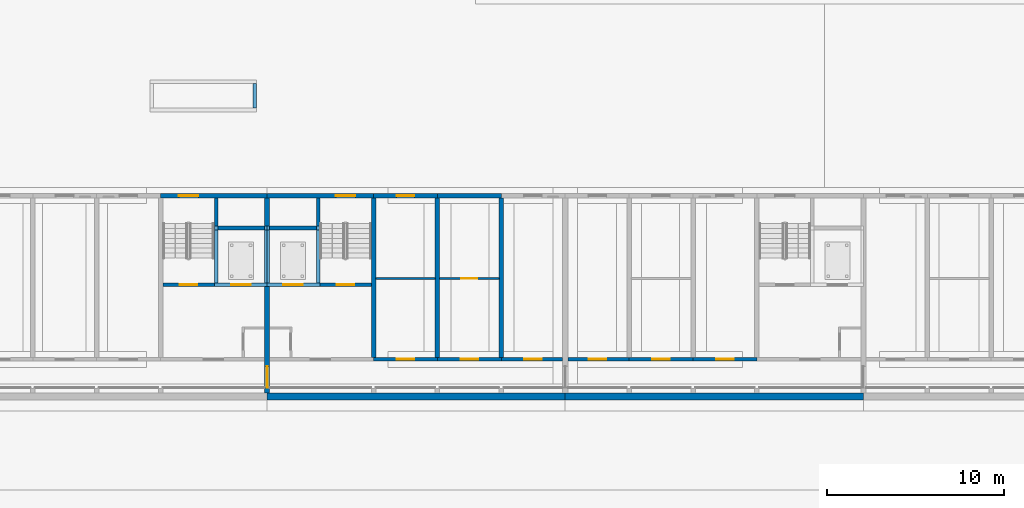
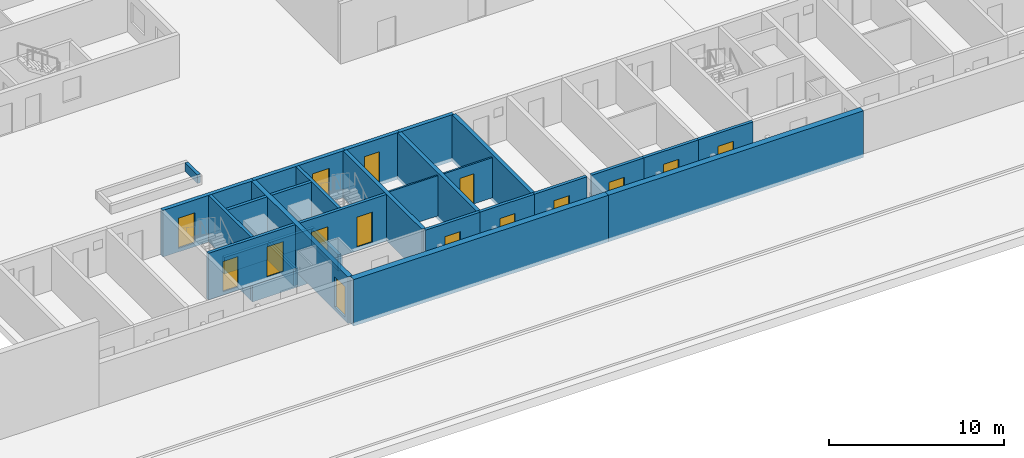
# One storey, part 55 of 112: 33 walls, 15 doors, 15 openings.
"""IFC4 building model written with IfcOpenShell, lengths in metres."""

from ifc_helpers import new_model, si_unit, direction, frame, frame_2d, origin, place, context, subcontext, project, spatial, rectangle, extrude, material, layer, layer_set, type_object, element, fill, save


model = new_model("IFC4")

# Units and contexts
model_context = context("Model", 3, precision=1e-05, world=origin(), true_north=direction((0.0, 1.0)))
body_context = subcontext(model_context, "Body", "Model", "MODEL_VIEW")
ifc_project = project(units=[si_unit("LENGTHUNIT", "METRE"), si_unit("AREAUNIT", "SQUARE_METRE"), si_unit("VOLUMEUNIT", "CUBIC_METRE"), si_unit("PLANEANGLEUNIT", "RADIAN"), si_unit("MASSUNIT", "GRAM", prefix="KILO")], contexts=[model_context])

# Site, building, storey
site_placement = place(None, origin())
site = spatial("IfcSite", under=ifc_project, at=site_placement, CompositionType="ELEMENT")
building_placement = place(site_placement, origin())
building = spatial("IfcBuilding", under=site, at=building_placement, Name="Ridgestep Commons", CompositionType="ELEMENT")
storey_placement = place(building_placement, origin())
storey = spatial("IfcBuildingStorey", under=building, at=storey_placement, Name="L00", CompositionType="ELEMENT", Elevation=0.0)

# Walls
ifc_material_1 = material(Name="Concrete C30/37", Category="concrete")
ifc_layer_1 = layer(ifc_material_1, 0.199951171875)
ifc_layer_set_1 = layer_set([ifc_layer_1], Name="Community planter wall 200")
wall_type_1 = type_object("IfcWallType", Name="Community planter wall 200", PredefinedType="SOLIDWALL", material=ifc_layer_set_1)
wall_1_placement = place(storey_placement, frame((162.89990234375, 27.800048828125, 0.0), z_axis=(0.0, 0.0, 1.0), x_axis=(0.0, 1.0, 0.0)))
element("IfcWall", 1, at=wall_1_placement, inside=storey, type_object=wall_type_1, Name="Planter wall", PredefinedType="SOLIDWALL", context=body_context, shape_type="SweptSolid", body=[
    extrude(rectangle(XDim=1.39990234375, YDim=0.199951171875, at=frame_2d((0.699951171875, 0.0))), origin(), (0.0, 0.0, 1.0), 0.60009765625),
])
ifc_material_2 = material(Name="Concrete C30/37", Category="concrete")
ifc_layer_2 = layer(ifc_material_2, 0.25)
ifc_layer_set_2 = layer_set([ifc_layer_2], Name="Core cross wall 250")
wall_type_2 = type_object("IfcWallType", Name="Core cross wall 250", PredefinedType="SHEAR", material=ifc_layer_set_2)
wall_2_placement = place(storey_placement, frame((169.60009765625, 13.75, -0.25), z_axis=(0.0, 0.0, 1.0), x_axis=(0.0, 1.0, 0.0)))
element("IfcWall", 2, at=wall_2_placement, inside=storey, type_object=wall_type_2, Name="Cross wall D-00-1696", PredefinedType="SHEAR", context=body_context, shape_type="SweptSolid", body=[
    extrude(rectangle(XDim=9.0, YDim=0.25, at=frame_2d((4.5, 0.0))), origin(), (0.0, 0.0, 1.0), 3.25),
])
ifc_material_3 = material(Name="Concrete C30/37", Category="concrete")
ifc_layer_3 = layer(ifc_material_3, 0.14990234375)
ifc_layer_set_3 = layer_set([ifc_layer_3], Name="Core wall 150")
wall_type_3 = type_object("IfcWallType", Name="Core wall 150", PredefinedType="SHEAR", material=ifc_layer_set_3)
for number, where, z_axis, x_axis, name in (
    (3, (163.52490234375, 17.949951171875, -1.39990234375), (0.0, 0.0, 1.0), (0.0, 1.0, 0.0), "Lift pit wall D1C"),
    (4, (163.675048828125, 17.949951171875, -1.39990234375), (0.0, 0.0, 1.0), (0.0, 1.0, 0.0), "Lift pit wall D2C"),
):
    element("IfcWall", number, at=place(storey_placement, frame(where, z_axis=z_axis, x_axis=x_axis)), inside=storey, type_object=wall_type_3, Name=name, PredefinedType="SHEAR", context=body_context, shape_type="SweptSolid", body=[
        extrude(rectangle(XDim=3.0, YDim=0.14990234375, at=frame_2d((1.5, 0.0))), origin(), (0.0, 0.0, 1.0), 1.14990234375),
    ])

# Wall, openings, doors
ifc_material_4 = material(Name="Concrete C30/37", Category="concrete")
ifc_layer_4 = layer(ifc_material_4, 0.199951171875)
ifc_layer_set_4 = layer_set([ifc_layer_4], Name="Core wall 200")
wall_type_4 = type_object("IfcWallType", Name="Core wall 200", PredefinedType="SHEAR", material=ifc_layer_set_4)
wall_3_placement = place(storey_placement, frame((157.72509765625, 17.85009765625, -0.25), z_axis=(0.0, 0.0, 1.0), x_axis=(1.0, 0.0, 0.0)))
wall_3 = element("IfcWall", 5, at=wall_3_placement, inside=storey, type_object=wall_type_4, Name="Core lobby wall D1C L00", PredefinedType="SHEAR", context=body_context, shape_type="SweptSolid", body=[
    extrude(rectangle(XDim=5.724853515625, YDim=0.199951171875, at=frame_2d((2.8623046875, 0.0))), origin(), (0.0, 0.0, 1.0), 3.25),
])
opening_1_placement = place(wall_3_placement, frame((0.949951171875, 0.0, 0.25)))
opening_1 = element("IfcOpeningElement", 6, at=opening_1_placement, cuts=wall_3, Name="Opening D1C/00/2", PredefinedType="OPENING", context=body_context, shape_type="SweptSolid", body=[
    extrude(rectangle(XDim=1.0, YDim=2.10009765625, at=frame_2d((0.5, 1.050048828125))), frame((0.0, 0.10986328125, 0.0), z_axis=(0.0, -1.0, 0.0), x_axis=(1.0, 0.0, 0.0)), (0.0, 0.0, 1.0), 0.219970703125),
])
opening_2_placement = place(wall_3_placement, frame((3.862548828125, 0.0, 0.25)))
opening_2 = element("IfcOpeningElement", 7, at=opening_2_placement, cuts=wall_3, Name="Opening D1C/00/3", PredefinedType="OPENING", context=body_context, shape_type="SweptSolid", body=[
    extrude(rectangle(XDim=1.10009765625, YDim=2.10009765625, at=frame_2d((0.550048828125, 1.050048828125))), frame((0.0, 0.10986328125, 0.0), z_axis=(0.0, -1.0, 0.0), x_axis=(1.0, 0.0, 0.0)), (0.0, 0.0, 1.0), 0.219970703125),
])
ifc_material_5 = material(Name="Stainless steel", Category="steel")
door_type_1 = type_object("IfcDoorType", Name="Lift landing door 1100 x 2100 FD60", OperationType="DOUBLE_DOOR_SLIDING", PredefinedType="DOOR", material=ifc_material_5)
door_1_placement = place(opening_2_placement, origin())
door_1 = element("IfcDoor", 8, at=door_1_placement, inside=storey, type_object=door_type_1, Name="Landing door LD D1C L00", OperationType="DOUBLE_DOOR_SLIDING", OverallHeight=2.10009765625, OverallWidth=1.10009765625, PredefinedType="DOOR", context=body_context, shape_type="SweptSolid", body=[
    extrude(rectangle(XDim=1.10009765625, YDim=2.10009765625, at=frame_2d((0.550048828125, 1.050048828125))), frame((0.0, 0.02490234375, 0.0), z_axis=(0.0, -1.0, 0.0), x_axis=(1.0, 0.0, 0.0)), (0.0, 0.0, 1.0), 0.050048828125),
])
fill(opening_2, door_1)
ifc_material_6 = material(Name="Steel fire door", Category="steel")
door_type_2 = type_object("IfcDoorType", Name="Stair door 1000 x 2100 FD60", OperationType="NOTDEFINED", PredefinedType="DOOR", material=ifc_material_6)
door_2_placement = place(opening_1_placement, origin())
door_2 = element("IfcDoor", 9, at=door_2_placement, inside=storey, type_object=door_type_2, Name="Stair door D1C/00/2", OperationType="SINGLE_SWING_RIGHT", OverallHeight=2.10009765625, OverallWidth=1.0, PredefinedType="DOOR", context=body_context, shape_type="SweptSolid", body=[
    extrude(rectangle(XDim=1.0, YDim=2.10009765625, at=frame_2d((0.5, 1.050048828125))), frame((0.0, 0.02490234375, 0.0), z_axis=(0.0, -1.0, 0.0), x_axis=(1.0, 0.0, 0.0)), (0.0, 0.0, 1.0), 0.050048828125),
])
fill(opening_1, door_2)

# Walls
wall_4_placement = place(storey_placement, frame((160.72509765625, 17.949951171875, -0.25), z_axis=(0.0, 0.0, 1.0), x_axis=(0.0, 1.0, 0.0)))
element("IfcWall", 10, at=wall_4_placement, inside=storey, type_object=wall_type_4, Name="Core stair wall D1C L00", PredefinedType="SHEAR", context=body_context, shape_type="SweptSolid", body=[
    extrude(rectangle(XDim=4.800048828125, YDim=0.199951171875, at=frame_2d((2.39990234375, 0.0))), origin(), (0.0, 0.0, 1.0), 3.25),
])
wall_5_placement = place(storey_placement, frame((160.824951171875, 21.050048828125, -0.25), z_axis=(0.0, 0.0, 1.0), x_axis=(1.0, 0.0, 0.0)))
element("IfcWall", 11, at=wall_5_placement, inside=storey, type_object=wall_type_4, Name="Core duct wall D1C L00", PredefinedType="SHEAR", context=body_context, shape_type="SweptSolid", body=[
    extrude(rectangle(XDim=2.625, YDim=0.199951171875, at=frame_2d((1.3125, 0.0))), origin(), (0.0, 0.0, 1.0), 3.25),
])

# Wall, openings, doors
wall_6_placement = place(storey_placement, frame((163.75, 17.85009765625, -0.25), z_axis=(0.0, 0.0, 1.0), x_axis=(1.0, 0.0, 0.0)))
wall_6 = element("IfcWall", 12, at=wall_6_placement, inside=storey, type_object=wall_type_4, Name="Core lobby wall D2C L00", PredefinedType="SHEAR", context=body_context, shape_type="SweptSolid", body=[
    extrude(rectangle(XDim=5.72509765625, YDim=0.199951171875, at=frame_2d((2.862548828125, 0.0))), origin(), (0.0, 0.0, 1.0), 3.25),
])
opening_3_placement = place(wall_6_placement, frame((3.77490234375, 0.0, 0.25)))
opening_3 = element("IfcOpeningElement", 13, at=opening_3_placement, cuts=wall_6, Name="Opening D2C/00/2", PredefinedType="OPENING", context=body_context, shape_type="SweptSolid", body=[
    extrude(rectangle(XDim=1.0, YDim=2.10009765625, at=frame_2d((0.5, 1.050048828125))), frame((0.0, 0.10986328125, 0.0), z_axis=(0.0, -1.0, 0.0), x_axis=(1.0, 0.0, 0.0)), (0.0, 0.0, 1.0), 0.219970703125),
])
opening_4_placement = place(wall_6_placement, frame((0.762451171875, 0.0, 0.25)))
opening_4 = element("IfcOpeningElement", 14, at=opening_4_placement, cuts=wall_6, Name="Opening D2C/00/3", PredefinedType="OPENING", context=body_context, shape_type="SweptSolid", body=[
    extrude(rectangle(XDim=1.10009765625, YDim=2.10009765625, at=frame_2d((0.550048828125, 1.050048828125))), frame((0.0, 0.10986328125, 0.0), z_axis=(0.0, -1.0, 0.0), x_axis=(1.0, 0.0, 0.0)), (0.0, 0.0, 1.0), 0.219970703125),
])
door_3_placement = place(opening_4_placement, origin())
door_3 = element("IfcDoor", 15, at=door_3_placement, inside=storey, type_object=door_type_1, Name="Landing door LD D2C L00", OperationType="DOUBLE_DOOR_SLIDING", OverallHeight=2.10009765625, OverallWidth=1.10009765625, PredefinedType="DOOR", context=body_context, shape_type="SweptSolid", body=[
    extrude(rectangle(XDim=1.10009765625, YDim=2.10009765625, at=frame_2d((0.550048828125, 1.050048828125))), frame((0.0, 0.02490234375, 0.0), z_axis=(0.0, -1.0, 0.0), x_axis=(1.0, 0.0, 0.0)), (0.0, 0.0, 1.0), 0.050048828125),
])
fill(opening_4, door_3)
door_4_placement = place(opening_3_placement, origin())
door_4 = element("IfcDoor", 16, at=door_4_placement, inside=storey, type_object=door_type_2, Name="Stair door D2C/00/2", OperationType="SINGLE_SWING_RIGHT", OverallHeight=2.10009765625, OverallWidth=1.0, PredefinedType="DOOR", context=body_context, shape_type="SweptSolid", body=[
    extrude(rectangle(XDim=1.0, YDim=2.10009765625, at=frame_2d((0.5, 1.050048828125))), frame((0.0, 0.02490234375, 0.0), z_axis=(0.0, -1.0, 0.0), x_axis=(1.0, 0.0, 0.0)), (0.0, 0.0, 1.0), 0.050048828125),
])
fill(opening_3, door_4)

# Walls
wall_7_placement = place(storey_placement, frame((166.47509765625, 17.949951171875, -0.25), z_axis=(0.0, 0.0, 1.0), x_axis=(0.0, 1.0, 0.0)))
element("IfcWall", 17, at=wall_7_placement, inside=storey, type_object=wall_type_4, Name="Core stair wall D2C L00", PredefinedType="SHEAR", context=body_context, shape_type="SweptSolid", body=[
    extrude(rectangle(XDim=4.800048828125, YDim=0.199951171875, at=frame_2d((2.39990234375, 0.0))), origin(), (0.0, 0.0, 1.0), 3.25),
])
wall_8_placement = place(storey_placement, frame((163.75, 21.050048828125, -0.25), z_axis=(0.0, 0.0, 1.0), x_axis=(1.0, 0.0, 0.0)))
element("IfcWall", 18, at=wall_8_placement, inside=storey, type_object=wall_type_4, Name="Core duct wall D2C L00", PredefinedType="SHEAR", context=body_context, shape_type="SweptSolid", body=[
    extrude(rectangle(XDim=2.625, YDim=0.199951171875, at=frame_2d((1.3125, 0.0))), origin(), (0.0, 0.0, 1.0), 3.25),
])
for number, where, z_axis, x_axis, name in (
    (19, (160.625, 17.85009765625, -1.39990234375), (0.0, 0.0, 1.0), (1.0, 0.0, 0.0), "Lift pit wall D1C"),
    (20, (160.625, 21.050048828125, -1.39990234375), (0.0, 0.0, 1.0), (1.0, 0.0, 0.0), "Lift pit wall D1C"),
):
    element("IfcWall", number, at=place(storey_placement, frame(where, z_axis=z_axis, x_axis=x_axis)), inside=storey, type_object=wall_type_4, Name=name, PredefinedType="SHEAR", context=body_context, shape_type="SweptSolid", body=[
        extrude(rectangle(XDim=2.97509765625, YDim=0.199951171875, at=frame_2d((1.487548828125, 0.0))), origin(), (0.0, 0.0, 1.0), 1.14990234375),
    ])
wall_9_placement = place(storey_placement, frame((160.72509765625, 17.949951171875, -1.39990234375), z_axis=(0.0, 0.0, 1.0), x_axis=(0.0, 1.0, 0.0)))
element("IfcWall", 21, at=wall_9_placement, inside=storey, type_object=wall_type_4, Name="Lift pit wall D1C", PredefinedType="SHEAR", context=body_context, shape_type="SweptSolid", body=[
    extrude(rectangle(XDim=3.0, YDim=0.199951171875, at=frame_2d((1.5, 0.0))), origin(), (0.0, 0.0, 1.0), 1.14990234375),
])
for number, where, z_axis, x_axis, name in (
    (22, (163.60009765625, 17.85009765625, -1.39990234375), (0.0, 0.0, 1.0), (1.0, 0.0, 0.0), "Lift pit wall D2C"),
    (23, (163.60009765625, 21.050048828125, -1.39990234375), (0.0, 0.0, 1.0), (1.0, 0.0, 0.0), "Lift pit wall D2C"),
):
    element("IfcWall", number, at=place(storey_placement, frame(where, z_axis=z_axis, x_axis=x_axis)), inside=storey, type_object=wall_type_4, Name=name, PredefinedType="SHEAR", context=body_context, shape_type="SweptSolid", body=[
        extrude(rectangle(XDim=2.974853515625, YDim=0.199951171875, at=frame_2d((1.4873046875, 0.0))), origin(), (0.0, 0.0, 1.0), 1.14990234375),
    ])
wall_10_placement = place(storey_placement, frame((166.47509765625, 17.949951171875, -1.39990234375), z_axis=(0.0, 0.0, 1.0), x_axis=(0.0, 1.0, 0.0)))
element("IfcWall", 24, at=wall_10_placement, inside=storey, type_object=wall_type_4, Name="Lift pit wall D2C", PredefinedType="SHEAR", context=body_context, shape_type="SweptSolid", body=[
    extrude(rectangle(XDim=3.0, YDim=0.199951171875, at=frame_2d((1.5, 0.0))), origin(), (0.0, 0.0, 1.0), 1.14990234375),
])
ifc_material_7 = material(Name="Precast concrete C40/50", Category="concrete")
ifc_layer_5 = layer(ifc_material_7, 0.25)
ifc_layer_set_5 = layer_set([ifc_layer_5], Name="Cross wall 250")
wall_type_5 = type_object("IfcWallType", Name="Cross wall 250", PredefinedType="SHEAR", material=ifc_layer_set_5)
for number, where, z_axis, x_axis, name in (
    (25, (173.199951171875, 13.75, -0.25), (0.0, 0.0, 1.0), (0.0, 1.0, 0.0), "Cross wall D-00-1732"),
    (26, (176.800048828125, 13.75, -0.25), (0.0, 0.0, 1.0), (0.0, 1.0, 0.0), "Cross wall D-00-1768"),
):
    element("IfcWall", number, at=place(storey_placement, frame(where, z_axis=z_axis, x_axis=x_axis)), inside=storey, type_object=wall_type_5, Name=name, PredefinedType="SHEAR", context=body_context, shape_type="SweptSolid", body=[
        extrude(rectangle(XDim=9.0, YDim=0.25, at=frame_2d((4.5, 0.0))), origin(), (0.0, 0.0, 1.0), 3.25),
    ])

# Wall, opening, door
ifc_material_8 = material(Name="Precast concrete C40/50", Category="concrete")
ifc_layer_6 = layer(ifc_material_8, 0.300048828125)
ifc_layer_set_6 = layer_set([ifc_layer_6], Name="Division wall 300")
wall_type_6 = type_object("IfcWallType", Name="Division wall 300", PredefinedType="SHEAR", material=ifc_layer_set_6)
wall_11_placement = place(storey_placement, frame((163.60009765625, 11.75, -0.25), z_axis=(0.0, 0.0, 1.0), x_axis=(0.0, 1.0, 0.0)))
wall_11 = element("IfcWall", 27, at=wall_11_placement, inside=storey, type_object=wall_type_6, Name="Cross wall D-00-1636", PredefinedType="SHEAR", context=body_context, shape_type="SweptSolid", body=[
    extrude(rectangle(XDim=11.0, YDim=0.300048828125, at=frame_2d((5.5, 0.0))), origin(), (0.0, 0.0, 1.0), 3.25),
])
opening_5_placement = place(wall_11_placement, frame((0.300048828125, 0.0, 0.25)))
opening_5 = element("IfcOpeningElement", 28, at=opening_5_placement, cuts=wall_11, Name="Opening D/00/G1636", PredefinedType="OPENING", context=body_context, shape_type="SweptSolid", body=[
    extrude(rectangle(XDim=1.199951171875, YDim=2.10009765625, at=frame_2d((0.60009765625, 1.050048828125))), frame((0.0, 0.159912109375, 0.0), z_axis=(0.0, -1.0, 0.0), x_axis=(1.0, 0.0, 0.0)), (0.0, 0.0, 1.0), 0.320068359375),
])
ifc_material_9 = material(Name="Steel fire door", Category="steel")
door_type_3 = type_object("IfcDoorType", Name="Division fire door 1200 x 2100 EI 240", OperationType="DOUBLE_DOOR_SINGLE_SWING", PredefinedType="DOOR", material=ifc_material_9)
door_5_placement = place(opening_5_placement, origin())
door_5 = element("IfcDoor", 29, at=door_5_placement, inside=storey, type_object=door_type_3, Name="Division fire door D/00/G1636", OperationType="DOUBLE_DOOR_SINGLE_SWING", OverallHeight=2.10009765625, OverallWidth=1.199951171875, PredefinedType="DOOR", context=body_context, shape_type="SweptSolid", body=[
    extrude(rectangle(XDim=1.199951171875, YDim=2.10009765625, at=frame_2d((0.60009765625, 1.050048828125))), frame((0.0, 0.02490234375, 0.0), z_axis=(0.0, -1.0, 0.0), x_axis=(1.0, 0.0, 0.0)), (0.0, 0.0, 1.0), 0.050048828125),
])
fill(opening_5, door_5)

ifc_material_10 = material(Name="Precast concrete C40/50", Category="concrete")
ifc_layer_7 = layer(ifc_material_10, 0.25)
ifc_layer_set_7 = layer_set([ifc_layer_7], Name="North facade panel 250")
wall_type_7 = type_object("IfcWallType", Name="North facade panel 250", PredefinedType="SOLIDWALL", material=ifc_layer_set_7)
wall_12_placement = place(storey_placement, frame((157.60009765625, 22.875, -0.25), z_axis=(0.0, 0.0, 1.0), x_axis=(1.0, 0.0, 0.0)))
wall_12 = element("IfcWall", 30, at=wall_12_placement, inside=storey, type_object=wall_type_7, Name="North panel D1C L00", PredefinedType="SOLIDWALL", context=body_context, shape_type="SweptSolid", body=[
    extrude(rectangle(XDim=6.0, YDim=0.25, at=frame_2d((3.0, 0.0))), origin(), (0.0, 0.0, 1.0), 3.25),
])
opening_6_placement = place(wall_12_placement, frame((1.02490234375, 0.0, 0.25)))
opening_6 = element("IfcOpeningElement", 31, at=opening_6_placement, cuts=wall_12, Name="Opening D1C/00/5", PredefinedType="OPENING", context=body_context, shape_type="SweptSolid", body=[
    extrude(rectangle(XDim=1.10009765625, YDim=2.10009765625, at=frame_2d((0.550048828125, 1.050048828125))), frame((0.0, 0.135009765625, 0.0), z_axis=(0.0, -1.0, 0.0), x_axis=(1.0, 0.0, 0.0)), (0.0, 0.0, 1.0), 0.27001953125),
])
ifc_material_11 = material(Name="Steel fire door", Category="steel")
door_type_4 = type_object("IfcDoorType", Name="Stair exit door 1100 x 2100 FD60", OperationType="NOTDEFINED", PredefinedType="DOOR", material=ifc_material_11)
door_6_placement = place(opening_6_placement, origin())
door_6 = element("IfcDoor", 32, at=door_6_placement, inside=storey, type_object=door_type_4, Name="Stair exit door D1C/00/5", OperationType="SINGLE_SWING_LEFT", OverallHeight=2.10009765625, OverallWidth=1.10009765625, PredefinedType="DOOR", context=body_context, shape_type="SweptSolid", body=[
    extrude(rectangle(XDim=1.10009765625, YDim=2.10009765625, at=frame_2d((0.550048828125, 1.050048828125))), frame((0.0, 0.02490234375, 0.0), z_axis=(0.0, -1.0, 0.0), x_axis=(1.0, 0.0, 0.0)), (0.0, 0.0, 1.0), 0.050048828125),
])
fill(opening_6, door_6)

wall_13_placement = place(storey_placement, frame((163.60009765625, 22.875, -0.25), z_axis=(0.0, 0.0, 1.0), x_axis=(1.0, 0.0, 0.0)))
wall_13 = element("IfcWall", 33, at=wall_13_placement, inside=storey, type_object=wall_type_7, Name="North panel D2C L00", PredefinedType="SOLIDWALL", context=body_context, shape_type="SweptSolid", body=[
    extrude(rectangle(XDim=6.0, YDim=0.25, at=frame_2d((3.0, 0.0))), origin(), (0.0, 0.0, 1.0), 3.25),
])
opening_7_placement = place(wall_13_placement, frame((3.875, 0.0, 0.25)))
opening_7 = element("IfcOpeningElement", 34, at=opening_7_placement, cuts=wall_13, Name="Opening D2C/00/5", PredefinedType="OPENING", context=body_context, shape_type="SweptSolid", body=[
    extrude(rectangle(XDim=1.10009765625, YDim=2.10009765625, at=frame_2d((0.550048828125, 1.050048828125))), frame((0.0, 0.135009765625, 0.0), z_axis=(0.0, -1.0, 0.0), x_axis=(1.0, 0.0, 0.0)), (0.0, 0.0, 1.0), 0.27001953125),
])
door_7_placement = place(opening_7_placement, origin())
door_7 = element("IfcDoor", 35, at=door_7_placement, inside=storey, type_object=door_type_4, Name="Stair exit door D2C/00/5", OperationType="SINGLE_SWING_LEFT", OverallHeight=2.10009765625, OverallWidth=1.10009765625, PredefinedType="DOOR", context=body_context, shape_type="SweptSolid", body=[
    extrude(rectangle(XDim=1.10009765625, YDim=2.10009765625, at=frame_2d((0.550048828125, 1.050048828125))), frame((0.0, 0.02490234375, 0.0), z_axis=(0.0, -1.0, 0.0), x_axis=(1.0, 0.0, 0.0)), (0.0, 0.0, 1.0), 0.050048828125),
])
fill(opening_7, door_7)

wall_14_placement = place(storey_placement, frame((169.60009765625, 22.875, -0.25), z_axis=(0.0, 0.0, 1.0), x_axis=(1.0, 0.0, 0.0)))
wall_14 = element("IfcWall", 36, at=wall_14_placement, inside=storey, type_object=wall_type_7, Name="North panel D2T3 L00", PredefinedType="SOLIDWALL", context=body_context, shape_type="SweptSolid", body=[
    extrude(rectangle(XDim=3.599853515625, YDim=0.25, at=frame_2d((1.7998046875, 0.0))), origin(), (0.0, 0.0, 1.0), 3.25),
])
opening_8_placement = place(wall_14_placement, frame((1.300048828125, 0.0, 0.25)))
opening_8 = element("IfcOpeningElement", 37, at=opening_8_placement, cuts=wall_14, Name="Opening D2-00p/2", PredefinedType="OPENING", context=body_context, shape_type="SweptSolid", body=[
    extrude(rectangle(XDim=1.0, YDim=2.10009765625, at=frame_2d((0.5, 1.050048828125))), frame((0.0, 0.135009765625, 0.0), z_axis=(0.0, -1.0, 0.0), x_axis=(1.0, 0.0, 0.0)), (0.0, 0.0, 1.0), 0.27001953125),
])
ifc_material_12 = material(Name="Steel door leaf", Category="steel")
door_type_5 = type_object("IfcDoorType", Name="Exterior door 1000 x 2100", OperationType="NOTDEFINED", PredefinedType="DOOR", material=ifc_material_12)
door_8_placement = place(opening_8_placement, origin())
door_8 = element("IfcDoor", 38, at=door_8_placement, inside=storey, type_object=door_type_5, Name="Exterior door D2-00p/2", OperationType="SINGLE_SWING_LEFT", OverallHeight=2.10009765625, OverallWidth=1.0, PredefinedType="DOOR", context=body_context, shape_type="SweptSolid", body=[
    extrude(rectangle(XDim=1.0, YDim=2.10009765625, at=frame_2d((0.5, 1.050048828125))), frame((0.0, 0.02490234375, 0.0), z_axis=(0.0, -1.0, 0.0), x_axis=(1.0, 0.0, 0.0)), (0.0, 0.0, 1.0), 0.050048828125),
])
fill(opening_8, door_8)

# Walls
wall_15_placement = place(storey_placement, frame((173.199951171875, 22.875, -0.25), z_axis=(0.0, 0.0, 1.0), x_axis=(1.0, 0.0, 0.0)))
element("IfcWall", 39, at=wall_15_placement, inside=storey, type_object=wall_type_7, Name="North panel D2T2 L00", PredefinedType="SOLIDWALL", context=body_context, shape_type="SweptSolid", body=[
    extrude(rectangle(XDim=3.60009765625, YDim=0.25, at=frame_2d((1.800048828125, 0.0))), origin(), (0.0, 0.0, 1.0), 3.25),
])
ifc_material_13 = material(Name="Common brick 110 mm", Category="masonry")
ifc_layer_8 = layer(ifc_material_13, 0.110107421875)
ifc_layer_set_8 = layer_set([ifc_layer_8], Name="Partition 110")
wall_type_8 = type_object("IfcWallType", Name="Partition 110", PredefinedType="PARTITIONING", material=ifc_layer_set_8)
wall_16_placement = place(storey_placement, frame((169.72509765625, 18.205078125, 0.0), z_axis=(0.0, 0.0, 1.0), x_axis=(1.0, 0.0, 0.0)))
element("IfcWall", 40, at=wall_16_placement, inside=storey, type_object=wall_type_8, Name="Partition D2-00p", PredefinedType="PARTITIONING", context=body_context, shape_type="SweptSolid", body=[
    extrude(rectangle(XDim=3.349853515625, YDim=0.110107421875, at=frame_2d((1.6748046875, 0.0))), origin(), (0.0, 0.0, 1.0), 2.800048828125),
])

# Wall, opening, door
wall_17_placement = place(storey_placement, frame((173.324951171875, 18.205078125, 0.0), z_axis=(0.0, 0.0, 1.0), x_axis=(1.0, 0.0, 0.0)))
wall_17 = element("IfcWall", 41, at=wall_17_placement, inside=storey, type_object=wall_type_8, Name="Partition D2-00p", PredefinedType="PARTITIONING", context=body_context, shape_type="SweptSolid", body=[
    extrude(rectangle(XDim=3.35009765625, YDim=0.110107421875, at=frame_2d((1.675048828125, 0.0))), origin(), (0.0, 0.0, 1.0), 2.800048828125),
])
opening_9_placement = place(wall_17_placement, frame((1.22509765625, 0.0, 0.0)))
opening_9 = element("IfcOpeningElement", 42, at=opening_9_placement, cuts=wall_17, Name="Opening D2-00p/4", PredefinedType="OPENING", context=body_context, shape_type="SweptSolid", body=[
    extrude(rectangle(XDim=0.89990234375, YDim=2.10009765625, at=frame_2d((0.449951171875, 1.050048828125))), frame((0.0, 0.06494140625, 0.0), z_axis=(0.0, -1.0, 0.0), x_axis=(1.0, 0.0, 0.0)), (0.0, 0.0, 1.0), 0.130126953125),
])
ifc_material_14 = material(Name="Timber door leaf", Category="wood")
door_type_6 = type_object("IfcDoorType", Name="Internal door 900 x 2100 FD60", OperationType="NOTDEFINED", PredefinedType="DOOR", material=ifc_material_14)
door_9_placement = place(opening_9_placement, origin())
door_9 = element("IfcDoor", 43, at=door_9_placement, inside=storey, type_object=door_type_6, Name="Internal door D2-00p/4", OperationType="SINGLE_SWING_RIGHT", OverallHeight=2.10009765625, OverallWidth=0.89990234375, PredefinedType="DOOR", context=body_context, shape_type="SweptSolid", body=[
    extrude(rectangle(XDim=0.89990234375, YDim=2.10009765625, at=frame_2d((0.449951171875, 1.050048828125))), frame((0.0, 0.02490234375, 0.0), z_axis=(0.0, -1.0, 0.0), x_axis=(1.0, 0.0, 0.0)), (0.0, 0.0, 1.0), 0.050048828125),
])
fill(opening_9, door_9)

# Walls
ifc_material_15 = material(Name="Concrete C30/37", Category="concrete")
ifc_layer_9 = layer(ifc_material_15, 0.39990234375)
ifc_layer_set_9 = layer_set([ifc_layer_9], Name="Plinth retaining wall 400")
wall_type_9 = type_object("IfcWallType", Name="Plinth retaining wall 400", PredefinedType="SOLIDWALL", material=ifc_layer_set_9)
wall_18_placement = place(storey_placement, frame((163.60009765625, 11.550048828125, -0.25), z_axis=(0.0, 0.0, 1.0), x_axis=(1.0, 0.0, 0.0)))
element("IfcWall", 44, at=wall_18_placement, inside=storey, type_object=wall_type_9, Name="Plinth retaining wall D2 L00", PredefinedType="SOLIDWALL", context=body_context, shape_type="SweptSolid", body=[
    extrude(rectangle(XDim=16.7998046875, YDim=0.39990234375, at=frame_2d((8.39990234375, 0.0))), origin(), (0.0, 0.0, 1.0), 3.25),
])
wall_19_placement = place(storey_placement, frame((180.39990234375, 11.550048828125, -0.25), z_axis=(0.0, 0.0, 1.0), x_axis=(1.0, 0.0, 0.0)))
element("IfcWall", 45, at=wall_19_placement, inside=storey, type_object=wall_type_9, Name="Plinth retaining wall D3 L00", PredefinedType="SOLIDWALL", context=body_context, shape_type="SweptSolid", body=[
    extrude(rectangle(XDim=16.800048828125, YDim=0.39990234375, at=frame_2d((8.39990234375, 0.0))), origin(), (0.0, 0.0, 1.0), 3.25),
])

# Wall, opening, door
ifc_material_16 = material(Name="Precast concrete C40/50", Category="concrete")
ifc_layer_10 = layer(ifc_material_16, 0.199951171875)
ifc_layer_set_10 = layer_set([ifc_layer_10], Name="South facade panel 200")
wall_type_10 = type_object("IfcWallType", Name="South facade panel 200", PredefinedType="SOLIDWALL", material=ifc_layer_set_10)
wall_20_placement = place(storey_placement, frame((169.60009765625, 13.64990234375, -0.25), z_axis=(0.0, 0.0, 1.0), x_axis=(1.0, 0.0, 0.0)))
wall_20 = element("IfcWall", 46, at=wall_20_placement, inside=storey, type_object=wall_type_10, Name="South panel D2T3 L00", PredefinedType="SOLIDWALL", context=body_context, shape_type="SweptSolid", body=[
    extrude(rectangle(XDim=3.599853515625, YDim=0.199951171875, at=frame_2d((1.7998046875, 0.0))), origin(), (0.0, 0.0, 1.0), 3.25),
])
opening_10_placement = place(wall_20_placement, frame((1.300048828125, 0.0, 0.25)))
opening_10 = element("IfcOpeningElement", 47, at=opening_10_placement, cuts=wall_20, Name="Opening D2-00p/1", PredefinedType="OPENING", context=body_context, shape_type="SweptSolid", body=[
    extrude(rectangle(XDim=1.0, YDim=2.10009765625, at=frame_2d((0.5, 1.050048828125))), frame((0.0, 0.10986328125, 0.0), z_axis=(0.0, -1.0, 0.0), x_axis=(1.0, 0.0, 0.0)), (0.0, 0.0, 1.0), 0.219970703125),
])
ifc_material_17 = material(Name="Steel door leaf", Category="steel")
door_type_7 = type_object("IfcDoorType", Name="Store door 1000 x 2100 FD60", OperationType="NOTDEFINED", PredefinedType="DOOR", material=ifc_material_17)
door_10_placement = place(opening_10_placement, origin())
door_10 = element("IfcDoor", 48, at=door_10_placement, inside=storey, type_object=door_type_7, Name="Store door D2-00p/1", OperationType="SINGLE_SWING_RIGHT", OverallHeight=2.10009765625, OverallWidth=1.0, PredefinedType="DOOR", context=body_context, shape_type="SweptSolid", body=[
    extrude(rectangle(XDim=1.0, YDim=2.10009765625, at=frame_2d((0.5, 1.050048828125))), frame((0.0, 0.02490234375, 0.0), z_axis=(0.0, -1.0, 0.0), x_axis=(1.0, 0.0, 0.0)), (0.0, 0.0, 1.0), 0.050048828125),
])
fill(opening_10, door_10)

wall_21_placement = place(storey_placement, frame((173.199951171875, 13.64990234375, -0.25), z_axis=(0.0, 0.0, 1.0), x_axis=(1.0, 0.0, 0.0)))
wall_21 = element("IfcWall", 49, at=wall_21_placement, inside=storey, type_object=wall_type_10, Name="South panel D2T2 L00", PredefinedType="SOLIDWALL", context=body_context, shape_type="SweptSolid", body=[
    extrude(rectangle(XDim=3.60009765625, YDim=0.199951171875, at=frame_2d((1.800048828125, 0.0))), origin(), (0.0, 0.0, 1.0), 3.25),
])
opening_11_placement = place(wall_21_placement, frame((1.300048828125, 0.0, 0.25)))
opening_11 = element("IfcOpeningElement", 50, at=opening_11_placement, cuts=wall_21, Name="Opening D2-00p/3", PredefinedType="OPENING", context=body_context, shape_type="SweptSolid", body=[
    extrude(rectangle(XDim=1.0, YDim=2.10009765625, at=frame_2d((0.5, 1.050048828125))), frame((0.0, 0.10986328125, 0.0), z_axis=(0.0, -1.0, 0.0), x_axis=(1.0, 0.0, 0.0)), (0.0, 0.0, 1.0), 0.219970703125),
])
ifc_material_18 = material(Name="Steel door leaf", Category="steel")
door_type_8 = type_object("IfcDoorType", Name="Store door 1000 x 2100", OperationType="NOTDEFINED", PredefinedType="DOOR", material=ifc_material_18)
door_11_placement = place(opening_11_placement, origin())
door_11 = element("IfcDoor", 51, at=door_11_placement, inside=storey, type_object=door_type_8, Name="Store door D2-00p/3", OperationType="SINGLE_SWING_RIGHT", OverallHeight=2.10009765625, OverallWidth=1.0, PredefinedType="DOOR", context=body_context, shape_type="SweptSolid", body=[
    extrude(rectangle(XDim=1.0, YDim=2.10009765625, at=frame_2d((0.5, 1.050048828125))), frame((0.0, 0.02490234375, 0.0), z_axis=(0.0, -1.0, 0.0), x_axis=(1.0, 0.0, 0.0)), (0.0, 0.0, 1.0), 0.050048828125),
])
fill(opening_11, door_11)

wall_22_placement = place(storey_placement, frame((176.800048828125, 13.64990234375, -0.25), z_axis=(0.0, 0.0, 1.0), x_axis=(1.0, 0.0, 0.0)))
wall_22 = element("IfcWall", 52, at=wall_22_placement, inside=storey, type_object=wall_type_10, Name="South panel D2T1 L00", PredefinedType="SOLIDWALL", context=body_context, shape_type="SweptSolid", body=[
    extrude(rectangle(XDim=3.449951171875, YDim=0.199951171875, at=frame_2d((1.72509765625, 0.0))), origin(), (0.0, 0.0, 1.0), 3.25),
])
opening_12_placement = place(wall_22_placement, frame((1.28759765625, 0.0, 0.25)))
opening_12 = element("IfcOpeningElement", 53, at=opening_12_placement, cuts=wall_22, Name="Opening D2-00p/5", PredefinedType="OPENING", context=body_context, shape_type="SweptSolid", body=[
    extrude(rectangle(XDim=1.0, YDim=2.10009765625, at=frame_2d((0.5, 1.050048828125))), frame((0.0, 0.10986328125, 0.0), z_axis=(0.0, -1.0, 0.0), x_axis=(1.0, 0.0, 0.0)), (0.0, 0.0, 1.0), 0.219970703125),
])
door_12_placement = place(opening_12_placement, origin())
door_12 = element("IfcDoor", 54, at=door_12_placement, inside=storey, type_object=door_type_8, Name="Store door D2-00p/5", OperationType="SINGLE_SWING_RIGHT", OverallHeight=2.10009765625, OverallWidth=1.0, PredefinedType="DOOR", context=body_context, shape_type="SweptSolid", body=[
    extrude(rectangle(XDim=1.0, YDim=2.10009765625, at=frame_2d((0.5, 1.050048828125))), frame((0.0, 0.02490234375, 0.0), z_axis=(0.0, -1.0, 0.0), x_axis=(1.0, 0.0, 0.0)), (0.0, 0.0, 1.0), 0.050048828125),
])
fill(opening_12, door_12)

wall_23_placement = place(storey_placement, frame((180.550048828125, 13.64990234375, -0.25), z_axis=(0.0, 0.0, 1.0), x_axis=(1.0, 0.0, 0.0)))
wall_23 = element("IfcWall", 55, at=wall_23_placement, inside=storey, type_object=wall_type_10, Name="South panel D3T1 L00", PredefinedType="SOLIDWALL", context=body_context, shape_type="SweptSolid", body=[
    extrude(rectangle(XDim=3.449951171875, YDim=0.199951171875, at=frame_2d((1.72509765625, 0.0))), origin(), (0.0, 0.0, 1.0), 3.25),
])
opening_13_placement = place(wall_23_placement, frame((1.16259765625, 0.0, 0.25)))
opening_13 = element("IfcOpeningElement", 56, at=opening_13_placement, cuts=wall_23, Name="Opening D3-00p/1", PredefinedType="OPENING", context=body_context, shape_type="SweptSolid", body=[
    extrude(rectangle(XDim=1.0, YDim=2.10009765625, at=frame_2d((0.5, 1.050048828125))), frame((0.0, 0.10986328125, 0.0), z_axis=(0.0, -1.0, 0.0), x_axis=(1.0, 0.0, 0.0)), (0.0, 0.0, 1.0), 0.219970703125),
])
door_13_placement = place(opening_13_placement, origin())
door_13 = element("IfcDoor", 57, at=door_13_placement, inside=storey, type_object=door_type_8, Name="Store door D3-00p/1", OperationType="SINGLE_SWING_RIGHT", OverallHeight=2.10009765625, OverallWidth=1.0, PredefinedType="DOOR", context=body_context, shape_type="SweptSolid", body=[
    extrude(rectangle(XDim=1.0, YDim=2.10009765625, at=frame_2d((0.5, 1.050048828125))), frame((0.0, 0.02490234375, 0.0), z_axis=(0.0, -1.0, 0.0), x_axis=(1.0, 0.0, 0.0)), (0.0, 0.0, 1.0), 0.050048828125),
])
fill(opening_13, door_13)

wall_24_placement = place(storey_placement, frame((184.0, 13.64990234375, -0.25), z_axis=(0.0, 0.0, 1.0), x_axis=(1.0, 0.0, 0.0)))
wall_24 = element("IfcWall", 58, at=wall_24_placement, inside=storey, type_object=wall_type_10, Name="South panel D3T2 L00", PredefinedType="SOLIDWALL", context=body_context, shape_type="SweptSolid", body=[
    extrude(rectangle(XDim=3.60009765625, YDim=0.199951171875, at=frame_2d((1.800048828125, 0.0))), origin(), (0.0, 0.0, 1.0), 3.25),
])
opening_14_placement = place(wall_24_placement, frame((1.300048828125, 0.0, 0.25)))
opening_14 = element("IfcOpeningElement", 59, at=opening_14_placement, cuts=wall_24, Name="Opening D3-00p/3", PredefinedType="OPENING", context=body_context, shape_type="SweptSolid", body=[
    extrude(rectangle(XDim=1.0, YDim=2.10009765625, at=frame_2d((0.5, 1.050048828125))), frame((0.0, 0.10986328125, 0.0), z_axis=(0.0, -1.0, 0.0), x_axis=(1.0, 0.0, 0.0)), (0.0, 0.0, 1.0), 0.219970703125),
])
door_14_placement = place(opening_14_placement, origin())
door_14 = element("IfcDoor", 60, at=door_14_placement, inside=storey, type_object=door_type_8, Name="Store door D3-00p/3", OperationType="SINGLE_SWING_RIGHT", OverallHeight=2.10009765625, OverallWidth=1.0, PredefinedType="DOOR", context=body_context, shape_type="SweptSolid", body=[
    extrude(rectangle(XDim=1.0, YDim=2.10009765625, at=frame_2d((0.5, 1.050048828125))), frame((0.0, 0.02490234375, 0.0), z_axis=(0.0, -1.0, 0.0), x_axis=(1.0, 0.0, 0.0)), (0.0, 0.0, 1.0), 0.050048828125),
])
fill(opening_14, door_14)

wall_25_placement = place(storey_placement, frame((187.60009765625, 13.64990234375, -0.25), z_axis=(0.0, 0.0, 1.0), x_axis=(1.0, 0.0, 0.0)))
wall_25 = element("IfcWall", 61, at=wall_25_placement, inside=storey, type_object=wall_type_10, Name="South panel D3T3 L00", PredefinedType="SOLIDWALL", context=body_context, shape_type="SweptSolid", body=[
    extrude(rectangle(XDim=3.599853515625, YDim=0.199951171875, at=frame_2d((1.7998046875, 0.0))), origin(), (0.0, 0.0, 1.0), 3.25),
])
opening_15_placement = place(wall_25_placement, frame((1.300048828125, 0.0, 0.25)))
opening_15 = element("IfcOpeningElement", 62, at=opening_15_placement, cuts=wall_25, Name="Opening D3-00p/5", PredefinedType="OPENING", context=body_context, shape_type="SweptSolid", body=[
    extrude(rectangle(XDim=1.0, YDim=2.10009765625, at=frame_2d((0.5, 1.050048828125))), frame((0.0, 0.10986328125, 0.0), z_axis=(0.0, -1.0, 0.0), x_axis=(1.0, 0.0, 0.0)), (0.0, 0.0, 1.0), 0.219970703125),
])
door_15_placement = place(opening_15_placement, origin())
door_15 = element("IfcDoor", 63, at=door_15_placement, inside=storey, type_object=door_type_8, Name="Store door D3-00p/5", OperationType="SINGLE_SWING_RIGHT", OverallHeight=2.10009765625, OverallWidth=1.0, PredefinedType="DOOR", context=body_context, shape_type="SweptSolid", body=[
    extrude(rectangle(XDim=1.0, YDim=2.10009765625, at=frame_2d((0.5, 1.050048828125))), frame((0.0, 0.02490234375, 0.0), z_axis=(0.0, -1.0, 0.0), x_axis=(1.0, 0.0, 0.0)), (0.0, 0.0, 1.0), 0.050048828125),
])
fill(opening_15, door_15)

save(model, "model.ifc")
